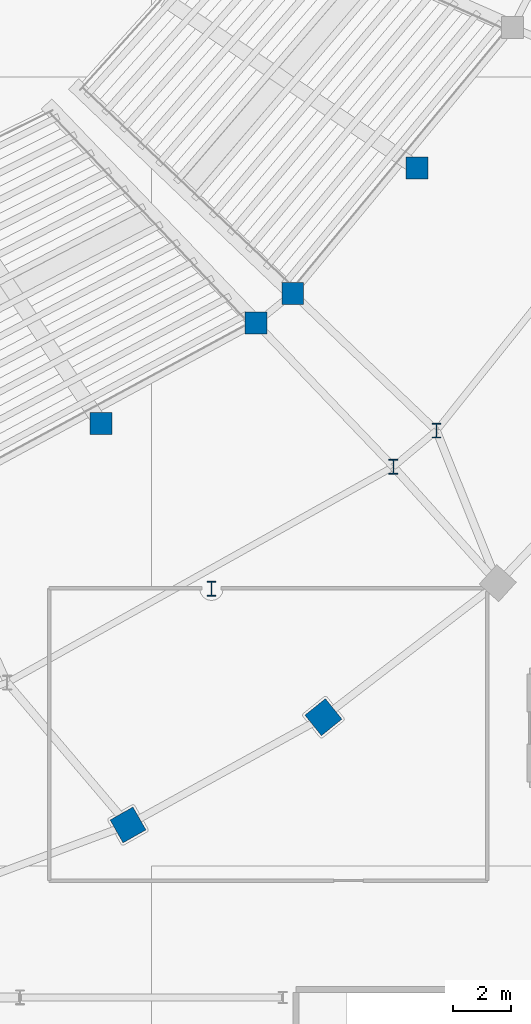
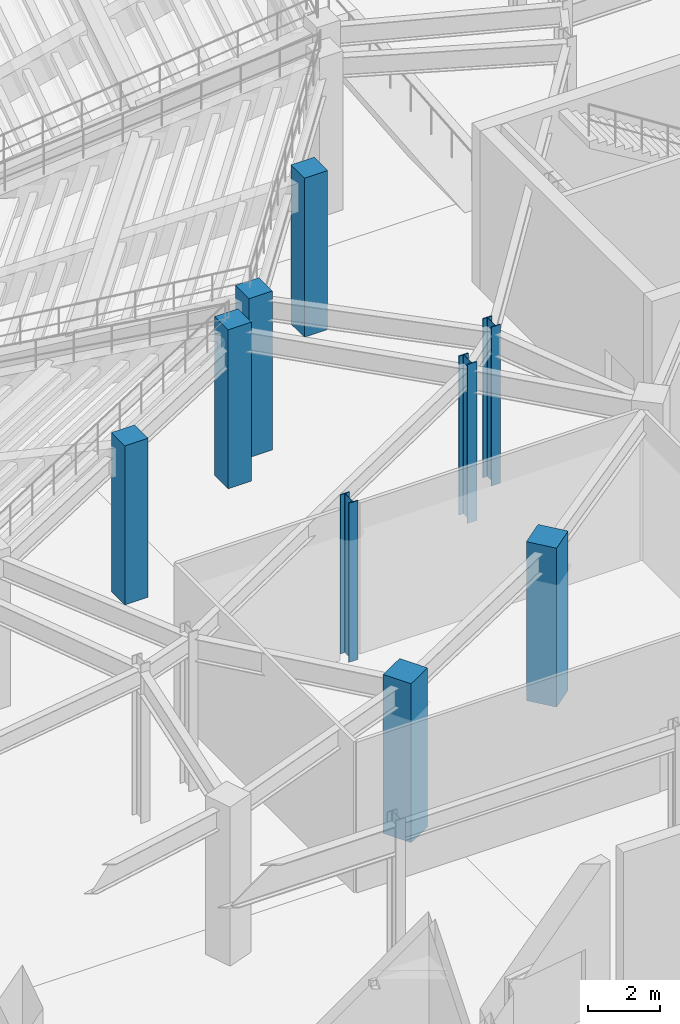
# One storey, part 8 of 79: 9 columns.
"""IFC4 building model written with IfcOpenShell, lengths in metres."""

from ifc_helpers import new_model, si_unit, direction, frame, origin, origin_2d, place, context, subcontext, project, spatial, rectangle, i_section, extrude, material, material_profile, profile_set, type_object, element, save


model = new_model("IFC4")

# Units and contexts
model_context = context("Model", 3, precision=1e-05, world=origin(), true_north=direction((0.0, 1.0)))
body_context = subcontext(model_context, "Body", "Model", "MODEL_VIEW")
ifc_project = project(units=[si_unit("LENGTHUNIT", "METRE"), si_unit("AREAUNIT", "SQUARE_METRE"), si_unit("VOLUMEUNIT", "CUBIC_METRE"), si_unit("PLANEANGLEUNIT", "RADIAN"), si_unit("MASSUNIT", "GRAM", prefix="KILO")], contexts=[model_context])

# Site, building, storey
site_placement = place(None, origin())
site = spatial("IfcSite", under=ifc_project, at=site_placement, CompositionType="ELEMENT")
building_placement = place(site_placement, origin())
building = spatial("IfcBuilding", under=site, at=building_placement, Name="Glasvene Arena", CompositionType="ELEMENT")
storey_placement = place(building_placement, origin())
storey = spatial("IfcBuildingStorey", under=building, at=storey_placement, Name="L00", CompositionType="ELEMENT", Elevation=0.0)

# Columns
ifc_material_1 = material(Name="Concrete C40/50", Category="concrete")
ifc_material_profile_1 = material_profile(ifc_material_1, rectangle(XDim=0.89990234375, YDim=0.89990234375, at=origin_2d()), Name="RC 900x900")
ifc_profile_set_1 = profile_set([ifc_material_profile_1], Name="Concrete C40/50")
column_type_1 = type_object("IfcColumnType", Name="COL-BOWL-RC900", PredefinedType="COLUMN", material=ifc_profile_set_1)
for number, where, z_axis, x_axis, name in (
    (1, (114.699462890625, 32.90478515625, 0.0), (0.0, 0.0, 1.0), (0.492727341548, -0.87018375467, 0.0), "Bowl ring column R34 L00"),
    (2, (121.389404296875, 36.59423828125, 0.0), (0.0, 0.0, 1.0), (0.628098877137, -0.778133536444, 0.0), "Bowl ring column R35 L00"),
):
    element("IfcColumn", number, at=place(storey_placement, frame(where, z_axis=z_axis, x_axis=x_axis)), inside=storey, type_object=column_type_1, Name=name, PredefinedType="COLUMN", context=body_context, shape_type="SweptSolid", body=[
        extrude(rectangle(XDim=0.89990234375, YDim=0.89990234375, at=origin_2d()), origin(), (0.0, 0.0, 1.0), 5.39990234375),
    ])
ifc_material_profile_2 = material_profile(ifc_material_1, rectangle(XDim=0.75, YDim=0.75, at=origin_2d()), Name="RC 750x750")
ifc_profile_set_2 = profile_set([ifc_material_profile_2], Name="Concrete C40/50")
column_type_2 = type_object("IfcColumnType", Name="COL-MID-RC750", PredefinedType="COLUMN", material=ifc_profile_set_2)
for number, where, z_axis, x_axis, name in (
    (3, (119.08251953125, 50.081787109375, 0.0), (0.0, 0.0, 1.0), (1.0, 0.0, 0.0), "Mid-bowl fulcrum column L00 14-2"),
    (4, (120.34033203125, 51.09912109375, 0.0), (0.0, 0.0, 1.0), (1.0, 0.0, 0.0), "Mid-bowl fulcrum column L00 15-1"),
    (5, (113.7783203125, 46.642333984375, 0.0), (0.0, 0.0, 1.0), (1.0, 0.0, 0.0), "Mid-sector fulcrum column L00 14"),
    (6, (124.593505859375, 55.388427734375, 0.0), (0.0, 0.0, 1.0), (1.0, 0.0, 0.0), "Mid-sector fulcrum column L00 15"),
):
    element("IfcColumn", number, at=place(storey_placement, frame(where, z_axis=z_axis, x_axis=x_axis)), inside=storey, type_object=column_type_2, Name=name, PredefinedType="COLUMN", context=body_context, shape_type="SweptSolid", body=[
        extrude(rectangle(XDim=0.75, YDim=0.75, at=origin_2d()), origin(), (0.0, 0.0, 1.0), 5.39990234375),
    ])
ifc_material_2 = material(Name="Steel S355J2", Category="steel")
ifc_material_profile_3 = material_profile(ifc_material_2, i_section(OverallWidth=0.300048828125, OverallDepth=0.5, WebThickness=0.014404296875, FlangeThickness=0.028076171875, FilletRadius=0.027099609375, at=origin_2d()), Name="HEB 500")
ifc_profile_set_3 = profile_set([ifc_material_profile_3], Name="Steel S355J2")
column_type_3 = type_object("IfcColumnType", Name="COL-W-HEB500", PredefinedType="COLUMN", material=ifc_profile_set_3)
for number, where, z_axis, x_axis, name in (
    (7, (123.780517578125, 45.165771484375, 0.0), (0.0, 0.0, 1.0), (1.0, 0.0, 0.0), "Upper raker rear column L00 14-2"),
    (8, (125.256591796875, 46.40087890625, 0.0), (0.0, 0.0, 1.0), (1.0, 0.0, 0.0), "Upper raker rear column L00 15-1"),
    (9, (117.55615234375, 40.98828125, 0.0), (0.0, 0.0, 1.0), (1.0, 0.0, 0.0), "Mid-sector rear raker column L00 14"),
):
    element("IfcColumn", number, at=place(storey_placement, frame(where, z_axis=z_axis, x_axis=x_axis)), inside=storey, type_object=column_type_3, Name=name, PredefinedType="COLUMN", context=body_context, shape_type="SweptSolid", body=[
        extrude(i_section(OverallWidth=0.300048828125, OverallDepth=0.5, WebThickness=0.014404296875, FlangeThickness=0.028076171875, FilletRadius=0.027099609375, at=origin_2d()), origin(), (0.0, 0.0, 1.0), 5.39990234375),
    ])

save(model, "model.ifc")
